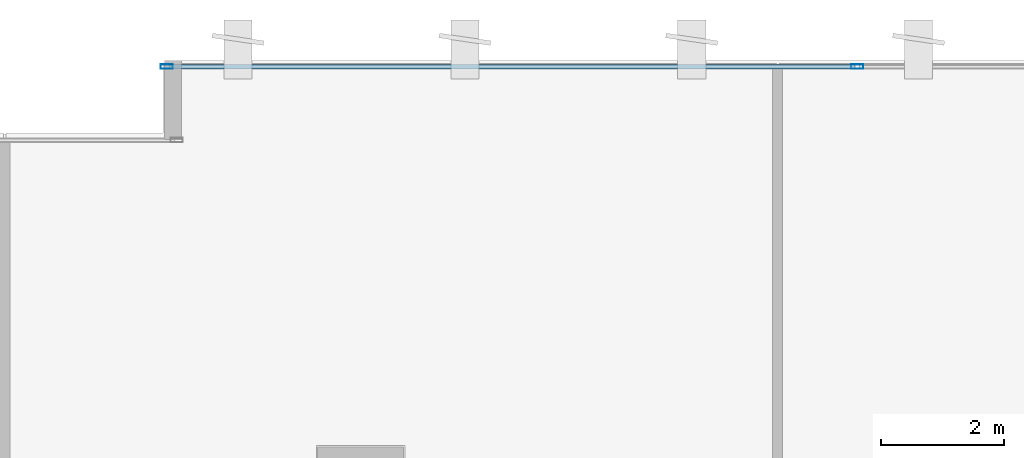
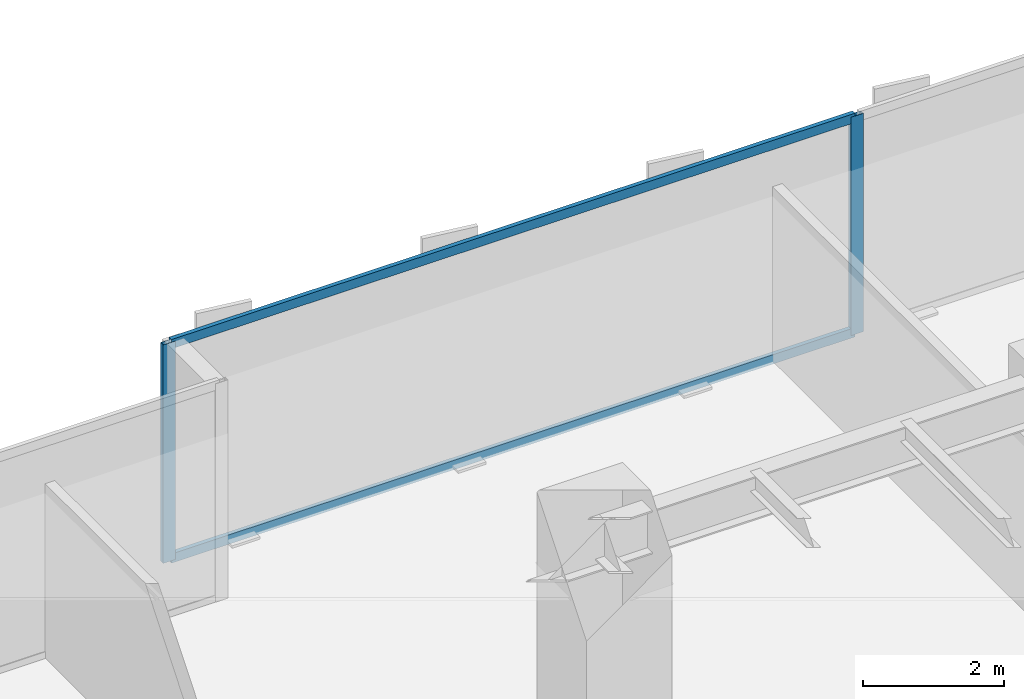
# One storey, part 22 of 37: 4 members, 1 element without a shape of its own.
"""IFC4 building model written with IfcOpenShell, lengths in metres."""

from ifc_helpers import new_model, si_unit, direction, frame, origin, origin_2d, place, context, subcontext, project, spatial, hollow_rectangle, extrude, source, transform, mapped, material, layer, layer_set, material_profile, profile_set, type_object, type_shapes, element, aggregate, save


model = new_model("IFC4")

# Units and contexts
model_context = context("Model", 3, precision=1e-05, world=origin(), true_north=direction((0.0, 1.0)))
body_context = subcontext(model_context, "Body", "Model", "MODEL_VIEW")
ifc_project = project(units=[si_unit("LENGTHUNIT", "METRE"), si_unit("AREAUNIT", "SQUARE_METRE"), si_unit("VOLUMEUNIT", "CUBIC_METRE"), si_unit("PLANEANGLEUNIT", "RADIAN"), si_unit("MASSUNIT", "GRAM", prefix="KILO")], contexts=[model_context])

# Site, building, storey
site_placement = place(None, origin())
site = spatial("IfcSite", under=ifc_project, at=site_placement, CompositionType="ELEMENT")
building_placement = place(site_placement, origin())
building = spatial("IfcBuilding", under=site, at=building_placement, Name="Haelvirn Gate Laboratories", CompositionType="ELEMENT")
storey_placement = place(building_placement, frame((0.0, 0.0, 74.39990234375)))
storey = spatial("IfcBuildingStorey", under=building, at=storey_placement, Name="L18", CompositionType="ELEMENT", Elevation=74.39990234375)

# Curtain wall, members
ifc_material_1 = material(Name="Anodised bronze unitised aluminium & triple low-E glass", Category="aluminium")
ifc_layer = layer(ifc_material_1, 0.18408203125, Name="CW-SYS-2")
ifc_layer_set = layer_set([ifc_layer], Name="Anodised bronze unitised aluminium & triple low-E glass")
curtain_wall_type = type_object("IfcCurtainWallType", Name="CW-SYS-2", PredefinedType="NOTDEFINED", material=ifc_layer_set)
curtain_wall_placement = place(storey_placement, origin())
curtain_wall = element("IfcCurtainWall", 1, at=curtain_wall_placement, inside=storey, type_object=curtain_wall_type, Name="L18 Unitised Curtain Wall CW-L18-P0-E10-1", PredefinedType="NOTDEFINED")
ifc_material_2 = material(Name="Extruded aluminium 6063-T6 (anodised bronze)", Category="aluminium")
ifc_material_profile_1 = material_profile(ifc_material_2, hollow_rectangle(XDim=0.074951171875, YDim=0.199951171875, WallThickness=0.0048828125, at=origin_2d()), Name="CWM-200x75x5")
ifc_profile_set_1 = profile_set([ifc_material_profile_1], Name="Extruded aluminium 6063-T6 (anodised bronze)")
member_type_1 = type_object("IfcMemberType", Name="CWM-T200", PredefinedType="MULLION", material=ifc_profile_set_1)
shared_shape_1 = source(origin(), body_context, "Body", "SweptSolid", [
    extrude(hollow_rectangle(XDim=0.074951171875, YDim=0.199951171875, WallThickness=0.0048828125, at=origin_2d()), origin(), (0.0, 0.0, 1.0), 3.780029296875),
])
type_shapes(member_type_1, [shared_shape_1])
member_1_placement = place(storey_placement, frame((49.4375, 48.5, 0.0), z_axis=(0.0, 0.0, 1.0), x_axis=(0.0, 1.0, 0.0)))
member_1 = element("IfcMember", 2, at=member_1_placement, type_object=member_type_1, Name="CW2 mullion 1", PredefinedType="MULLION", context=body_context, shape_type="MappedRepresentation", body=[
    mapped(shared_shape_1, transform((0.0, 0.0, 0.0), scale=1.0)),
])
member_2_placement = place(storey_placement, frame((60.699951171875, 48.5, 0.0), z_axis=(0.0, 0.0, 1.0), x_axis=(0.0, 1.0, 0.0)))
member_2 = element("IfcMember", 3, at=member_2_placement, type_object=member_type_1, Name="CW2 mullion 2", PredefinedType="MULLION", context=body_context, shape_type="MappedRepresentation", body=[
    mapped(shared_shape_1, transform((0.0, 0.0, 0.0), scale=1.0)),
])
ifc_material_profile_2 = material_profile(ifc_material_2, hollow_rectangle(XDim=0.070068359375, YDim=0.159912109375, WallThickness=0.0048828125, at=origin_2d()), Name="CWT-160x70x5")
ifc_profile_set_2 = profile_set([ifc_material_profile_2], Name="Extruded aluminium 6063-T6 (anodised bronze)")
member_type_2 = type_object("IfcMemberType", Name="CWT-T160", PredefinedType="USERDEFINED", material=ifc_profile_set_2)
shared_shape_2 = source(origin(), body_context, "Body", "SweptSolid", [
    extrude(hollow_rectangle(XDim=0.070068359375, YDim=0.159912109375, WallThickness=0.0048828125, at=origin_2d()), origin(), (0.0, 0.0, 1.0), 11.1875),
])
type_shapes(member_type_2, [shared_shape_2])
member_3_placement = place(storey_placement, frame((49.47509765625, 48.5, 0.03515625), z_axis=(1.0, 0.0, 0.0), x_axis=(0.0, 1.0, 0.0)))
member_3 = element("IfcMember", 4, at=member_3_placement, type_object=member_type_2, Name="CW2 transom 1.1", ObjectType="TRANSOM", PredefinedType="USERDEFINED", context=body_context, shape_type="MappedRepresentation", body=[
    mapped(shared_shape_2, transform((0.0, 0.0, 0.0), scale=1.0)),
])
member_4_placement = place(storey_placement, frame((49.47509765625, 48.5, 3.7451171875), z_axis=(1.0, 0.0, 0.0), x_axis=(0.0, 1.0, 0.0)))
member_4 = element("IfcMember", 5, at=member_4_placement, type_object=member_type_2, Name="CW2 transom 1.2", ObjectType="TRANSOM", PredefinedType="USERDEFINED", context=body_context, shape_type="MappedRepresentation", body=[
    mapped(shared_shape_2, transform((0.0, 0.0, 0.0), scale=1.0)),
])
aggregate(curtain_wall, [member_1, member_2, member_3, member_4])

save(model, "model.ifc")
